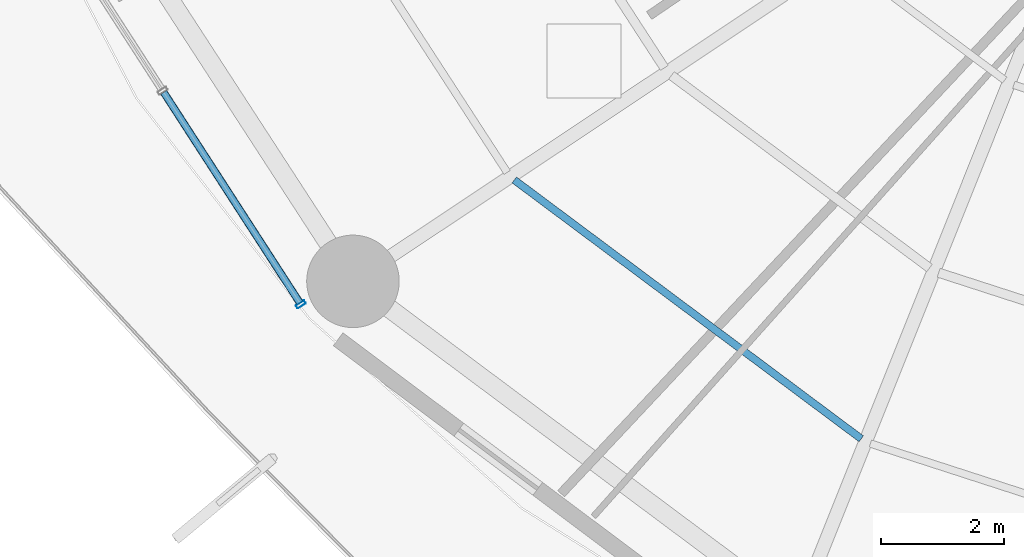
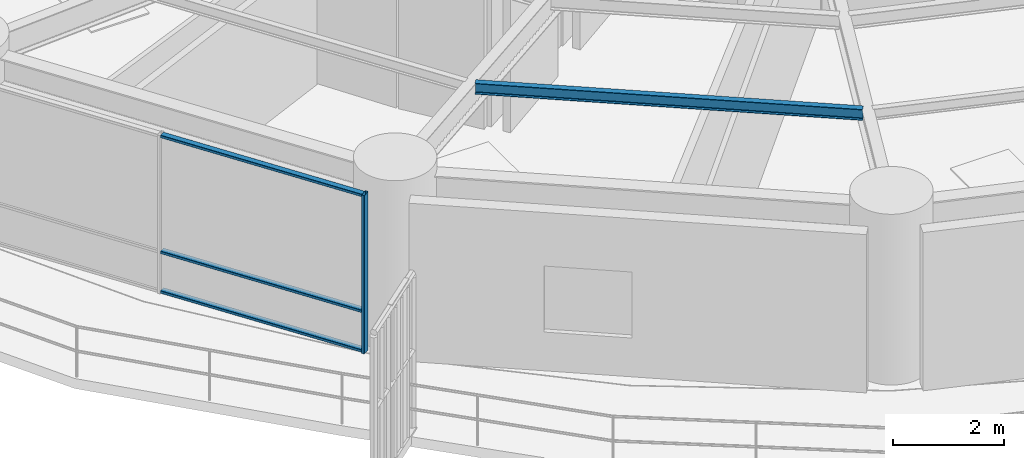
# One storey, part 2 of 33: 4 members, 1 beam, 1 element without a shape of its own.
"""IFC4 building model written with IfcOpenShell, lengths in metres."""

from ifc_helpers import new_model, si_unit, direction, frame, origin, origin_2d, place, context, subcontext, project, spatial, hollow_rectangle, i_section, extrude, material, layer, layer_set, material_profile, profile_set, type_object, element, aggregate, save


model = new_model("IFC4")

# Units and contexts
model_context = context("Model", 3, precision=1e-05, world=origin(), true_north=direction((0.0, 1.0)))
body_context = subcontext(model_context, "Body", "Model", "MODEL_VIEW")
ifc_project = project(units=[si_unit("LENGTHUNIT", "METRE"), si_unit("AREAUNIT", "SQUARE_METRE"), si_unit("VOLUMEUNIT", "CUBIC_METRE"), si_unit("PLANEANGLEUNIT", "RADIAN"), si_unit("MASSUNIT", "GRAM", prefix="KILO")], contexts=[model_context])

# Site, building, storey
site_placement = place(None, origin())
site = spatial("IfcSite", under=ifc_project, at=site_placement, CompositionType="ELEMENT")
building_placement = place(site_placement, origin())
building = spatial("IfcBuilding", under=site, at=building_placement, Name="Kelanora Arch Commons", CompositionType="ELEMENT")
storey_placement = place(building_placement, frame((0.0, 0.0, 26.25)))
storey = spatial("IfcBuildingStorey", under=building, at=storey_placement, Name="L06", CompositionType="ELEMENT", Elevation=26.25)

# Beam
ifc_material_1 = material(Name="Steel S355", Category="steel")
ifc_material_profile_1 = material_profile(ifc_material_1, i_section(OverallWidth=0.1201171875, OverallDepth=0.239990234375, WebThickness=0.006103515625, FlangeThickness=0.009765625, FilletRadius=0.014892578125, at=origin_2d()), Name="IPE240")
ifc_profile_set_1 = profile_set([ifc_material_profile_1], Name="Steel S355")
beam_type = type_object("IfcBeamType", Name="BM-JST-02", PredefinedType="JOIST", material=ifc_profile_set_1)
beam_placement = place(storey_placement, frame((55.87255859375, 44.16650390625, 3.3701171875), z_axis=(0.80149131963, -0.598006408459, 0.0), x_axis=(0.598006408459, 0.80149131963, 0.0)))
element("IfcBeam", 1, at=beam_placement, inside=storey, type_object=beam_type, Name="Secondary Chord Joist BJC-22 L06", PredefinedType="JOIST", context=body_context, shape_type="SweptSolid", body=[
    extrude(i_section(OverallWidth=0.1201171875, OverallDepth=0.239990234375, WebThickness=0.006103515625, FlangeThickness=0.009765625, FilletRadius=0.014892578125, at=origin_2d()), origin(), (0.0, 0.0, 1.0), 7.021240234375),
])

# Curtain wall, members
ifc_material_2 = material(Name="Terracotta ceramic-fritted low-E glass and aluminium", Category="masonry")
ifc_layer = layer(ifc_material_2, 0.159912109375)
ifc_layer_set = layer_set([ifc_layer], Name="Terracotta ceramic-fritted low-E glass and aluminium")
curtain_wall_type = type_object("IfcCurtainWallType", Name="CW-SYS-01", PredefinedType="NOTDEFINED", material=ifc_layer_set)
curtain_wall_placement = place(storey_placement, origin())
curtain_wall = element("IfcCurtainWall", 2, at=curtain_wall_placement, inside=storey, type_object=curtain_wall_type, Name="Unitised Curtain Wall L06-B10", PredefinedType="NOTDEFINED")
ifc_material_3 = material(Name="Powder-coated aluminium terracotta", Category="masonry")
ifc_material_profile_2 = material_profile(ifc_material_3, hollow_rectangle(XDim=0.159912109375, YDim=0.06005859375, WallThickness=0.0048828125, InnerFilletRadius=0.0048828125, OuterFilletRadius=0.010009765625, at=origin_2d()), Name="CWM160x60")
ifc_profile_set_2 = profile_set([ifc_material_profile_2], Name="Powder-coated aluminium terracotta")
member_type_1 = type_object("IfcMemberType", Name="CWM-STD", PredefinedType="MULLION", material=ifc_profile_set_2)
member_1_placement = place(storey_placement, frame((52.41064453125, 42.14697265625, 0.0), z_axis=(0.0, 0.0, 1.0), x_axis=(0.83972982332, 0.543004441812, 0.0)))
member_1 = element("IfcMember", 3, at=member_1_placement, type_object=member_type_1, Name="CW-01 mullion 3", PredefinedType="MULLION", context=body_context, shape_type="SweptSolid", body=[
    extrude(hollow_rectangle(XDim=0.159912109375, YDim=0.06005859375, WallThickness=0.0048828125, InnerFilletRadius=0.0048828125, OuterFilletRadius=0.010009765625, at=origin_2d()), origin(), (0.0, 0.0, 1.0), 3.47509765625),
])
ifc_material_profile_3 = material_profile(ifc_material_3, hollow_rectangle(XDim=0.1201171875, YDim=0.06005859375, WallThickness=0.0048828125, InnerFilletRadius=0.0048828125, OuterFilletRadius=0.010009765625, at=origin_2d()), Name="CWT120x60")
ifc_profile_set_3 = profile_set([ifc_material_profile_3], Name="Powder-coated aluminium terracotta")
member_type_2 = type_object("IfcMemberType", Name="CWT-STD", PredefinedType="USERDEFINED", material=ifc_profile_set_3)
member_2_placement = place(storey_placement, frame((50.185546875, 45.588134765625, 0.030029296875), z_axis=(0.542997414293, -0.839734367566, 0.0), x_axis=(0.839734367566, 0.542997414293, 0.0)))
member_2 = element("IfcMember", 4, at=member_2_placement, type_object=member_type_2, Name="CW-01 transom 2.1", ObjectType="TRANSOM", PredefinedType="USERDEFINED", context=body_context, shape_type="SweptSolid", body=[
    extrude(hollow_rectangle(XDim=0.1201171875, YDim=0.06005859375, WallThickness=0.0048828125, InnerFilletRadius=0.0048828125, OuterFilletRadius=0.010009765625, at=origin_2d()), origin(), (0.0, 0.0, 1.0), 4.067626953125),
])
member_3_placement = place(storey_placement, frame((50.185546875, 45.588134765625, 0.89990234375), z_axis=(0.542997414293, -0.839734367566, 0.0), x_axis=(0.839734367566, 0.542997414293, 0.0)))
member_3 = element("IfcMember", 5, at=member_3_placement, type_object=member_type_2, Name="CW-01 transom 2.2", ObjectType="TRANSOM", PredefinedType="USERDEFINED", context=body_context, shape_type="SweptSolid", body=[
    extrude(hollow_rectangle(XDim=0.1201171875, YDim=0.06005859375, WallThickness=0.0048828125, InnerFilletRadius=0.0048828125, OuterFilletRadius=0.010009765625, at=origin_2d()), origin(), (0.0, 0.0, 1.0), 4.067626953125),
])
member_4_placement = place(storey_placement, frame((50.185546875, 45.588134765625, 3.445068359375), z_axis=(0.542997414293, -0.839734367566, 0.0), x_axis=(0.839734367566, 0.542997414293, 0.0)))
member_4 = element("IfcMember", 6, at=member_4_placement, type_object=member_type_2, Name="CW-01 transom 2.3", ObjectType="TRANSOM", PredefinedType="USERDEFINED", context=body_context, shape_type="SweptSolid", body=[
    extrude(hollow_rectangle(XDim=0.1201171875, YDim=0.06005859375, WallThickness=0.0048828125, InnerFilletRadius=0.0048828125, OuterFilletRadius=0.010009765625, at=origin_2d()), origin(), (0.0, 0.0, 1.0), 4.067626953125),
])
aggregate(curtain_wall, [member_1, member_2, member_3, member_4])

save(model, "model.ifc")
